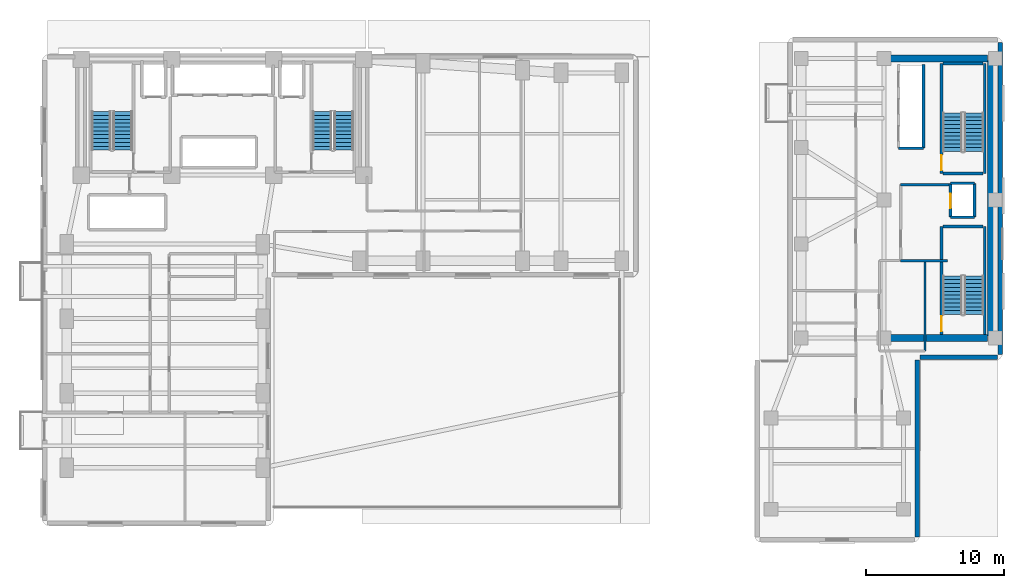
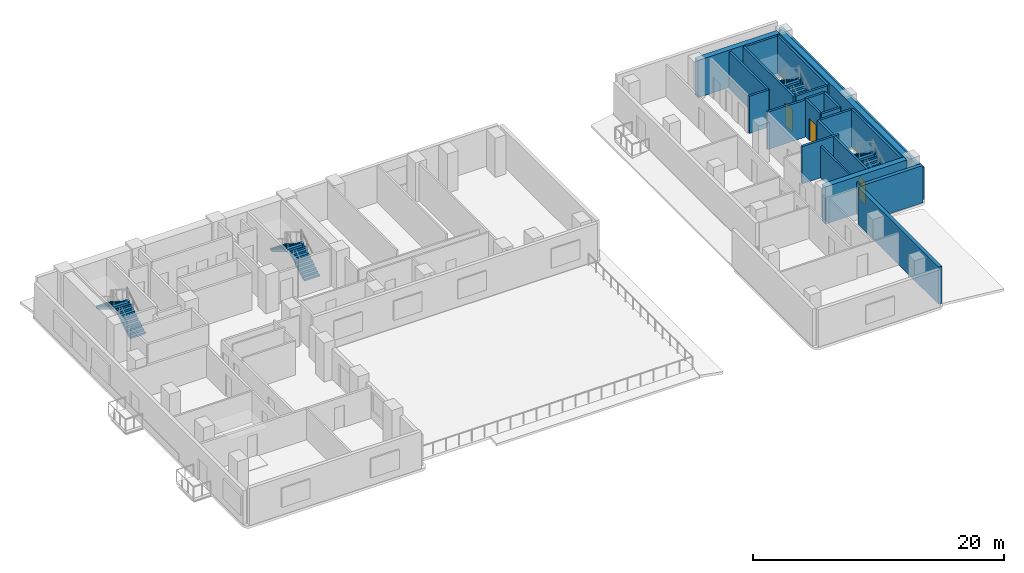
# One storey, part 6 of 10: 22 walls, 8 stair flights, 3 doors, 3 openings, 4 elements without a shape of their own.
"""IFC4 building model written with IfcOpenShell, lengths in metres."""

from ifc_helpers import new_model, si_unit, direction, frame, frame_2d, origin, place, context, subcontext, project, spatial, polyline, rectangle, outline, extrude, material, layer, layer_set, type_object, element, fill, aggregate, save


model = new_model("IFC4")

# Units and contexts
model_context = context("Model", 3, precision=1e-05, world=origin(), true_north=direction((0.0, 1.0)))
body_context = subcontext(model_context, "Body", "Model", "MODEL_VIEW")
ifc_project = project(units=[si_unit("LENGTHUNIT", "METRE"), si_unit("AREAUNIT", "SQUARE_METRE"), si_unit("VOLUMEUNIT", "CUBIC_METRE"), si_unit("PLANEANGLEUNIT", "RADIAN"), si_unit("MASSUNIT", "GRAM", prefix="KILO")], contexts=[model_context])

# Site, building, storey
site_placement = place(None, origin())
site = spatial("IfcSite", under=ifc_project, at=site_placement, CompositionType="ELEMENT")
building_placement = place(site_placement, origin())
building = spatial("IfcBuilding", under=site, at=building_placement, Name="Kuzgunbayir Cultural Tower", CompositionType="ELEMENT")
storey_placement = place(building_placement, frame((0.0, 0.0, 26.39990234375)))
storey = spatial("IfcBuildingStorey", under=building, at=storey_placement, Name="L06", CompositionType="ELEMENT", Elevation=26.39990234375)

# Walls
ifc_material_1 = material(Name="Travertine Buff Ashlar", Category="masonry")
ifc_layer_1 = layer(ifc_material_1, 0.320068359375)
ifc_layer_set_1 = layer_set([ifc_layer_1], Name="Travertine Buff Ashlar")
wall_type_1 = type_object("IfcWallType", Name="WAL-EXT-STONE-320", PredefinedType="STANDARD", material=ifc_layer_set_1)
wall_1_placement = place(storey_placement, frame((73.0, 20.800048828125, 0.0), z_axis=(0.0, 0.0, 1.0), x_axis=(0.0, 1.0, 0.0)))
element("IfcWall", 1, at=wall_1_placement, inside=storey, type_object=wall_type_1, Name="L06 Companion East Limestone Wall", PredefinedType="STANDARD", context=body_context, shape_type="SweptSolid", body=[
    extrude(rectangle(XDim=22.599853515625, YDim=0.320068359375, at=frame_2d((11.2998046875, 0.0))), origin(), (0.0, 0.0, 1.0), 3.10009765625),
])
wall_2_placement = place(storey_placement, frame((67.0, 7.60009765625, 0.0), z_axis=(0.0, 0.0, 1.0), x_axis=(0.0, 1.0, 0.0)))
element("IfcWall", 2, at=wall_2_placement, inside=storey, type_object=wall_type_1, Name="L06 Companion Wing B East Wall", PredefinedType="STANDARD", context=body_context, shape_type="SweptSolid", body=[
    extrude(rectangle(XDim=12.7998046875, YDim=0.320068359375, at=frame_2d((6.39990234375, 0.0))), origin(), (0.0, 0.0, 1.0), 3.6201171875),
])
wall_3_placement = place(storey_placement, frame((67.199951171875, 20.60009765625, 0.0), z_axis=(0.0, 0.0, 1.0), x_axis=(1.0, 0.0, 0.0)))
element("IfcWall", 3, at=wall_3_placement, inside=storey, type_object=wall_type_1, Name="L06 Companion South-East Link", PredefinedType="STANDARD", context=body_context, shape_type="SweptSolid", body=[
    extrude(rectangle(XDim=5.60009765625, YDim=0.320068359375, at=frame_2d((2.800048828125, 0.0))), origin(), (0.0, 0.0, 1.0), 3.6201171875),
])
ifc_material_2 = material(Name="Acoustic Double-Stud Drywall", Category="gypsum")
ifc_layer_2 = layer(ifc_material_2, 0.14990234375)
ifc_layer_set_2 = layer_set([ifc_layer_2], Name="Acoustic Double-Stud Drywall")
wall_type_2 = type_object("IfcWallType", Name="WAL-PART-ACOUSTIC-150", PredefinedType="PARTITIONING", material=ifc_layer_set_2)
wall_4_placement = place(storey_placement, frame((67.550048828125, 21.050048828125, 0.0), z_axis=(0.0, 0.0, 1.0), x_axis=(0.0, 1.0, 0.0)))
element("IfcWall", 4, at=wall_4_placement, inside=storey, type_object=wall_type_2, Name="L06 Companion Archive East Wall", PredefinedType="PARTITIONING", context=body_context, shape_type="SweptSolid", body=[
    extrude(rectangle(XDim=6.469970703125, YDim=0.14990234375, at=frame_2d((3.23486328125, 0.0))), origin(), (0.0, 0.0, 1.0), 3.10009765625),
])
ifc_material_3 = material(Name="Aerated Concrete Blockwork", Category="masonry")
ifc_layer_3 = layer(ifc_material_3, 0.199951171875)
ifc_layer_set_3 = layer_set([ifc_layer_3], Name="Aerated Concrete Blockwork")
wall_type_3 = type_object("IfcWallType", Name="WAL-PART-FIRE-200", PredefinedType="PARTITIONING", material=ifc_layer_set_3)
wall_5_placement = place(storey_placement, frame((65.800048828125, 33.10009765625, 0.0), z_axis=(0.0, 0.0, 1.0), x_axis=(1.0, 0.0, 0.0)))
element("IfcWall", 5, at=wall_5_placement, inside=storey, type_object=wall_type_3, Name="L06 FFL-3 Lobby North Fire Wall", PredefinedType="PARTITIONING", context=body_context, shape_type="SweptSolid", body=[
    extrude(rectangle(XDim=3.599853515625, YDim=0.199951171875, at=frame_2d((1.7998046875, 0.0))), origin(), (0.0, 0.0, 1.0), 3.6201171875),
])
wall_6_placement = place(storey_placement, frame((65.800048828125, 27.60009765625, 0.0), z_axis=(0.0, 0.0, 1.0), x_axis=(1.0, 0.0, 0.0)))
element("IfcWall", 6, at=wall_6_placement, inside=storey, type_object=wall_type_3, Name="L06 FFL-3 Lobby South Fire Wall", PredefinedType="PARTITIONING", context=body_context, shape_type="SweptSolid", body=[
    extrude(rectangle(XDim=3.39990234375, YDim=0.199951171875, at=frame_2d((1.699951171875, 0.0))), origin(), (0.0, 0.0, 1.0), 3.6201171875),
])
ifc_material_4 = material(Name="Concrete C40/50", Category="concrete")
ifc_layer_4 = layer(ifc_material_4, 0.199951171875)
ifc_layer_set_4 = layer_set([ifc_layer_4], Name="Concrete C40/50")
wall_type_4 = type_object("IfcWallType", Name="WAL-SHAFT-200", PredefinedType="MOVABLE", material=ifc_layer_set_4)
wall_7_placement = place(storey_placement, frame((67.449951171875, 35.75, 0.0), z_axis=(0.0, 0.0, 1.0), x_axis=(0.0, 1.0, 0.0)))
element("IfcWall", 7, at=wall_7_placement, inside=storey, type_object=wall_type_4, Name="L06 Companion Lift Shaft Back Wall", PredefinedType="MOVABLE", context=body_context, shape_type="SweptSolid", body=[
    extrude(rectangle(XDim=6.050048828125, YDim=0.199951171875, at=frame_2d((3.02490234375, 0.0))), origin(), (0.0, 0.0, 1.0), 3.6201171875),
])
wall_8_placement = place(storey_placement, frame((65.64990234375, 35.75, 0.0), z_axis=(0.0, 0.0, 1.0), x_axis=(1.0, 0.0, 0.0)))
element("IfcWall", 8, at=wall_8_placement, inside=storey, type_object=wall_type_4, Name="L06 Companion Lift Shaft South Wall", PredefinedType="MOVABLE", context=body_context, shape_type="SweptSolid", body=[
    extrude(rectangle(XDim=1.800048828125, YDim=0.199951171875, at=frame_2d((0.89990234375, 0.0))), origin(), (0.0, 0.0, 1.0), 3.6201171875),
])

# Wall, opening, door
wall_9_placement = place(storey_placement, frame((69.39990234375, 30.75, 0.0), z_axis=(0.0, 0.0, 1.0), x_axis=(0.0, 1.0, 0.0)))
wall_9 = element("IfcWall", 9, at=wall_9_placement, inside=storey, type_object=wall_type_4, Name="L06 FFL-3 Lift Front Wall", PredefinedType="MOVABLE", context=body_context, shape_type="SweptSolid", body=[
    extrude(rectangle(XDim=2.449951171875, YDim=0.199951171875, at=frame_2d((1.22509765625, 0.0))), origin(), (0.0, 0.0, 1.0), 3.6201171875),
])
opening_1_placement = place(wall_9_placement, frame((0.64990234375, 0.0, 0.0)))
opening_1 = element("IfcOpeningElement", 10, at=opening_1_placement, cuts=wall_9, Name="Opening LD", PredefinedType="OPENING", context=body_context, shape_type="SweptSolid", body=[
    extrude(rectangle(XDim=1.050048828125, YDim=2.14990234375, at=frame_2d((0.52490234375, 1.074951171875))), frame((0.0, 0.10986328125, 0.0), z_axis=(0.0, -1.0, 0.0), x_axis=(1.0, 0.0, 0.0)), (0.0, 0.0, 1.0), 0.219970703125),
])
ifc_material_5 = material(Name="Brushed Stainless Steel", Category="steel")
door_type_1 = type_object("IfcDoorType", Name="DR-LIFT-LANDING", OperationType="SLIDING_TO_LEFT", PredefinedType="DOOR", material=ifc_material_5)
door_1_placement = place(opening_1_placement, origin())
door_1 = element("IfcDoor", 11, at=door_1_placement, inside=storey, type_object=door_type_1, Name="L06 Lift FFL-3 Landing Door", OperationType="SLIDING_TO_LEFT", OverallHeight=2.14990234375, OverallWidth=1.050048828125, PredefinedType="DOOR", context=body_context, shape_type="SweptSolid", body=[
    extrude(rectangle(XDim=1.050048828125, YDim=2.14990234375, at=frame_2d((0.52490234375, 1.074951171875))), frame((0.0, 0.02490234375, 0.0), z_axis=(0.0, -1.0, 0.0), x_axis=(1.0, 0.0, 0.0)), (0.0, 0.0, 1.0), 0.050048828125),
])
fill(opening_1, door_1)

# Walls
wall_10_placement = place(storey_placement, frame((71.14990234375, 30.75, 0.0), z_axis=(0.0, 0.0, 1.0), x_axis=(0.0, 1.0, 0.0)))
element("IfcWall", 12, at=wall_10_placement, inside=storey, type_object=wall_type_4, Name="L06 FFL-3 Shaft Back Wall", PredefinedType="MOVABLE", context=body_context, shape_type="SweptSolid", body=[
    extrude(rectangle(XDim=2.449951171875, YDim=0.199951171875, at=frame_2d((1.22509765625, 0.0))), origin(), (0.0, 0.0, 1.0), 3.6201171875),
])
for number, where, z_axis, x_axis, name in (
    (13, (69.39990234375, 33.199951171875, 0.0), (0.0, 0.0, 1.0), (1.0, 0.0, 0.0), "L06 FFL-3 Shaft North Wall"),
    (14, (69.39990234375, 30.75, 0.0), (0.0, 0.0, 1.0), (1.0, 0.0, 0.0), "L06 FFL-3 Shaft South Wall"),
):
    element("IfcWall", number, at=place(storey_placement, frame(where, z_axis=z_axis, x_axis=x_axis)), inside=storey, type_object=wall_type_4, Name=name, PredefinedType="MOVABLE", context=body_context, shape_type="SweptSolid", body=[
        extrude(rectangle(XDim=1.75, YDim=0.199951171875, at=frame_2d((0.875, 0.0))), origin(), (0.0, 0.0, 1.0), 3.6201171875),
    ])

# Wall, opening, door
ifc_layer_5 = layer(ifc_material_4, 0.199951171875)
ifc_layer_set_5 = layer_set([ifc_layer_5], Name="Concrete C40/50")
wall_type_5 = type_object("IfcWallType", Name="WAL-STAIR-RC-200", PredefinedType="SHEAR", material=ifc_layer_set_5)
wall_11_placement = place(storey_placement, frame((68.760009765625, 22.260009765625, 0.0), z_axis=(0.0, 0.0, 1.0), x_axis=(0.0, 1.0, 0.0)))
wall_11 = element("IfcWall", 15, at=wall_11_placement, inside=storey, type_object=wall_type_5, Name="L06 Stair ST-3 West Structural Wall", PredefinedType="SHEAR", context=body_context, shape_type="SweptSolid", body=[
    extrude(rectangle(XDim=7.820068359375, YDim=0.199951171875, at=frame_2d((3.91015625, 0.0))), origin(), (0.0, 0.0, 1.0), 3.6201171875),
])
opening_2_placement = place(wall_11_placement, frame((0.219970703125, 0.0, 0.0)))
opening_2 = element("IfcOpeningElement", 16, at=opening_2_placement, cuts=wall_11, Name="Opening DR-STAIR-90", PredefinedType="OPENING", context=body_context, shape_type="SweptSolid", body=[
    extrude(rectangle(XDim=1.10009765625, YDim=2.14990234375, at=frame_2d((0.550048828125, 1.074951171875))), frame((0.0, 0.10986328125, 0.0), z_axis=(0.0, -1.0, 0.0), x_axis=(1.0, 0.0, 0.0)), (0.0, 0.0, 1.0), 0.219970703125),
])
ifc_material_6 = material(Name="Steel S355J2", Category="steel")
door_type_2 = type_object("IfcDoorType", Name="DR-STAIR-90", OperationType="NOTDEFINED", PredefinedType="DOOR", material=ifc_material_6)
door_2_placement = place(opening_2_placement, origin())
door_2 = element("IfcDoor", 17, at=door_2_placement, inside=storey, type_object=door_type_2, Name="L06 Stair ST-3 Fire Door", OperationType="SINGLE_SWING_RIGHT", OverallHeight=2.14990234375, OverallWidth=1.10009765625, PredefinedType="DOOR", context=body_context, shape_type="SweptSolid", body=[
    extrude(rectangle(XDim=1.10009765625, YDim=2.14990234375, at=frame_2d((0.550048828125, 1.074951171875))), frame((0.0, 0.02490234375, 0.0), z_axis=(0.0, -1.0, 0.0), x_axis=(1.0, 0.0, 0.0)), (0.0, 0.0, 1.0), 0.050048828125),
])
fill(opening_2, door_2)

# Walls
wall_12_placement = place(storey_placement, frame((71.8798828125, 22.260009765625, 0.0), z_axis=(0.0, 0.0, 1.0), x_axis=(0.0, 1.0, 0.0)))
element("IfcWall", 18, at=wall_12_placement, inside=storey, type_object=wall_type_5, Name="L06 Stair ST-3 East Structural Wall", PredefinedType="SHEAR", context=body_context, shape_type="SweptSolid", body=[
    extrude(rectangle(XDim=7.820068359375, YDim=0.199951171875, at=frame_2d((3.91015625, 0.0))), origin(), (0.0, 0.0, 1.0), 3.6201171875),
])
wall_13_placement = place(storey_placement, frame((68.8798828125, 30.080078125, 0.0), z_axis=(0.0, 0.0, 1.0), x_axis=(1.0, 0.0, 0.0)))
element("IfcWall", 19, at=wall_13_placement, inside=storey, type_object=wall_type_5, Name="L06 Stair ST-3 North Structural Wall", PredefinedType="SHEAR", context=body_context, shape_type="SweptSolid", body=[
    extrude(rectangle(XDim=2.880126953125, YDim=0.199951171875, at=frame_2d((1.43994140625, 0.0))), origin(), (0.0, 0.0, 1.0), 3.6201171875),
])

# Wall, opening, door
wall_14_placement = place(storey_placement, frame((68.760009765625, 33.919921875, 0.0), z_axis=(0.0, 0.0, 1.0), x_axis=(0.0, 1.0, 0.0)))
wall_14 = element("IfcWall", 20, at=wall_14_placement, inside=storey, type_object=wall_type_5, Name="L06 Stair ST-4 West Structural Wall", PredefinedType="SHEAR", context=body_context, shape_type="SweptSolid", body=[
    extrude(rectangle(XDim=7.9599609375, YDim=0.199951171875, at=frame_2d((3.97998046875, 0.0))), origin(), (0.0, 0.0, 1.0), 3.6201171875),
])
opening_3_placement = place(wall_14_placement, frame((0.219970703125, 0.0, 0.0)))
opening_3 = element("IfcOpeningElement", 21, at=opening_3_placement, cuts=wall_14, Name="Opening DR-STAIR-90", PredefinedType="OPENING", context=body_context, shape_type="SweptSolid", body=[
    extrude(rectangle(XDim=1.10009765625, YDim=2.14990234375, at=frame_2d((0.550048828125, 1.074951171875))), frame((0.0, 0.10986328125, 0.0), z_axis=(0.0, -1.0, 0.0), x_axis=(1.0, 0.0, 0.0)), (0.0, 0.0, 1.0), 0.219970703125),
])
door_3_placement = place(opening_3_placement, origin())
door_3 = element("IfcDoor", 22, at=door_3_placement, inside=storey, type_object=door_type_2, Name="L06 Stair ST-4 Fire Door", OperationType="SINGLE_SWING_LEFT", OverallHeight=2.14990234375, OverallWidth=1.10009765625, PredefinedType="DOOR", context=body_context, shape_type="SweptSolid", body=[
    extrude(rectangle(XDim=1.10009765625, YDim=2.14990234375, at=frame_2d((0.550048828125, 1.074951171875))), frame((0.0, 0.02490234375, 0.0), z_axis=(0.0, -1.0, 0.0), x_axis=(1.0, 0.0, 0.0)), (0.0, 0.0, 1.0), 0.050048828125),
])
fill(opening_3, door_3)

# Walls
wall_15_placement = place(storey_placement, frame((71.8798828125, 33.919921875, 0.0), z_axis=(0.0, 0.0, 1.0), x_axis=(0.0, 1.0, 0.0)))
element("IfcWall", 23, at=wall_15_placement, inside=storey, type_object=wall_type_5, Name="L06 Stair ST-4 East Structural Wall", PredefinedType="SHEAR", context=body_context, shape_type="SweptSolid", body=[
    extrude(rectangle(XDim=7.9599609375, YDim=0.199951171875, at=frame_2d((3.97998046875, 0.0))), origin(), (0.0, 0.0, 1.0), 3.6201171875),
])
for number, where, z_axis, x_axis, name in (
    (24, (68.8798828125, 41.8798828125, 0.0), (0.0, 0.0, 1.0), (1.0, 0.0, 0.0), "L06 Stair ST-4 North Structural Wall"),
    (25, (68.8798828125, 33.919921875, 0.0), (0.0, 0.0, 1.0), (1.0, 0.0, 0.0), "L06 Stair ST-4 South Structural Wall"),
):
    element("IfcWall", number, at=place(storey_placement, frame(where, z_axis=z_axis, x_axis=x_axis)), inside=storey, type_object=wall_type_5, Name=name, PredefinedType="SHEAR", context=body_context, shape_type="SweptSolid", body=[
        extrude(rectangle(XDim=2.880126953125, YDim=0.199951171875, at=frame_2d((1.43994140625, 0.0))), origin(), (0.0, 0.0, 1.0), 3.6201171875),
    ])
ifc_material_7 = material(Name="Concrete C60/75", Category="concrete")
ifc_layer_6 = layer(ifc_material_7, 0.5)
ifc_layer_set_6 = layer_set([ifc_layer_6], Name="Concrete C60/75")
wall_type_6 = type_object("IfcWallType", Name="WAL-T2-CORE-500", PredefinedType="SHEAR", material=ifc_layer_set_6)
wall_16_placement = place(storey_placement, frame((72.35009765625, 22.0, 0.0), z_axis=(0.0, 0.0, 1.0), x_axis=(0.0, 1.0, 0.0)))
element("IfcWall", 26, at=wall_16_placement, inside=storey, type_object=wall_type_6, Name="L06 Companion Core East Shear Wall", PredefinedType="SHEAR", context=body_context, shape_type="SweptSolid", body=[
    extrude(rectangle(XDim=20.25, YDim=0.5, at=frame_2d((10.125, 0.0))), origin(), (0.0, 0.0, 1.0), 3.6201171875),
])
for number, where, z_axis, x_axis, name in (
    (27, (64.60009765625, 42.25, 0.0), (0.0, 0.0, 1.0), (1.0, 0.0, 0.0), "L06 Companion Core North Shear Wall"),
    (28, (64.60009765625, 22.0, 0.0), (0.0, 0.0, 1.0), (1.0, 0.0, 0.0), "L06 Companion Core South Shear Wall"),
):
    element("IfcWall", number, at=place(storey_placement, frame(where, z_axis=z_axis, x_axis=x_axis)), inside=storey, type_object=wall_type_6, Name=name, PredefinedType="SHEAR", context=body_context, shape_type="SweptSolid", body=[
        extrude(rectangle(XDim=7.5, YDim=0.5, at=frame_2d((3.75, 0.0))), origin(), (0.0, 0.0, 1.0), 3.6201171875),
    ])

# Stair, stair flights
stair_type = type_object("IfcStairType", Name="STR-EXIT-CORE", PredefinedType="HALF_TURN_STAIR", material=ifc_material_4)
stair_1_placement = place(storey_placement, origin())
stair_1 = element("IfcStair", 29, at=stair_1_placement, inside=storey, type_object=stair_type, Name="L06 ST-1", PredefinedType="HALF_TURN_STAIR")
stair_flight_type = type_object("IfcStairFlightType", Name="STRF-RC-140", PredefinedType="STRAIGHT", material=ifc_material_4)
stair_flight_1_placement = place(storey_placement, frame((9.4599609375, 35.60009765625, 0.0), z_axis=(0.0, 0.0, 1.0), x_axis=(0.0, 1.0, 0.0)))
stair_flight_1 = element("IfcStairFlight", 30, at=stair_flight_1_placement, type_object=stair_flight_type, Name="ST-1 flight 1", NumberOfRisers=11, NumberOfTreads=10, PredefinedType="STRAIGHT", RiserHeight=0.172727273, TreadLength=0.28, context=body_context, shape_type="SweptSolid", body=[
    extrude(outline(polyline([(0.0, 0.0), (0.0, 0.172607421875), (0.280029296875, 0.172607421875), (0.280029296875, 0.345458984375), (0.56005859375, 0.345458984375), (0.56005859375, 0.51806640625), (0.840087890625, 0.51806640625), (0.840087890625, 0.69091796875), (1.1201171875, 0.69091796875), (1.1201171875, 0.863525390625), (1.39990234375, 0.863525390625), (1.39990234375, 1.036376953125), (1.679931640625, 1.036376953125), (1.679931640625, 1.208984375), (1.9599609375, 1.208984375), (1.9599609375, 1.3818359375), (2.239990234375, 1.3818359375), (2.239990234375, 1.554443359375), (2.52001953125, 1.554443359375), (2.52001953125, 1.727294921875), (2.800048828125, 1.727294921875), (2.800048828125, 1.89990234375), (2.800048828125, 1.515869140625), (0.3427734375, 0.0), (0.0, 0.0)])), frame((0.0, 0.699951171875, 0.0), z_axis=(0.0, -1.0, 0.0), x_axis=(1.0, 0.0, 0.0)), (0.0, 0.0, 1.0), 1.39990234375),
])
stair_flight_2_placement = place(storey_placement, frame((7.89990234375, 38.39990234375, 1.900146484375), z_axis=(0.0, 0.0, 1.0), x_axis=(0.0, -1.0, 0.0)))
stair_flight_2 = element("IfcStairFlight", 31, at=stair_flight_2_placement, type_object=stair_flight_type, Name="ST-1 flight 2", NumberOfRisers=11, NumberOfTreads=10, PredefinedType="STRAIGHT", RiserHeight=0.172727273, TreadLength=0.28, context=body_context, shape_type="SweptSolid", body=[
    extrude(outline(polyline([(0.0, 0.0), (0.0, 0.172607421875), (0.280029296875, 0.172607421875), (0.280029296875, 0.345458984375), (0.56005859375, 0.345458984375), (0.56005859375, 0.51806640625), (0.840087890625, 0.51806640625), (0.840087890625, 0.69091796875), (1.1201171875, 0.69091796875), (1.1201171875, 0.863525390625), (1.39990234375, 0.863525390625), (1.39990234375, 1.036376953125), (1.679931640625, 1.036376953125), (1.679931640625, 1.208984375), (1.9599609375, 1.208984375), (1.9599609375, 1.3818359375), (2.239990234375, 1.3818359375), (2.239990234375, 1.554443359375), (2.52001953125, 1.554443359375), (2.52001953125, 1.727294921875), (2.800048828125, 1.727294921875), (2.800048828125, 1.89990234375), (2.800048828125, 1.515869140625), (0.3427734375, 0.0), (0.0, 0.0)])), frame((0.0, 0.699951171875, 0.0), z_axis=(0.0, -1.0, 0.0), x_axis=(1.0, 0.0, 0.0)), (0.0, 0.0, 1.0), 1.39990234375),
])
aggregate(stair_1, [stair_flight_1, stair_flight_2])

stair_2_placement = place(storey_placement, origin())
stair_2 = element("IfcStair", 32, at=stair_2_placement, inside=storey, type_object=stair_type, Name="L06 ST-2", PredefinedType="HALF_TURN_STAIR")
stair_flight_3_placement = place(storey_placement, frame((25.4599609375, 35.60009765625, 0.0), z_axis=(0.0, 0.0, 1.0), x_axis=(0.0, 1.0, 0.0)))
stair_flight_3 = element("IfcStairFlight", 33, at=stair_flight_3_placement, type_object=stair_flight_type, Name="ST-2 flight 1", NumberOfRisers=11, NumberOfTreads=10, PredefinedType="STRAIGHT", RiserHeight=0.172727273, TreadLength=0.28, context=body_context, shape_type="SweptSolid", body=[
    extrude(outline(polyline([(0.0, 0.0), (0.0, 0.172607421875), (0.280029296875, 0.172607421875), (0.280029296875, 0.345458984375), (0.56005859375, 0.345458984375), (0.56005859375, 0.51806640625), (0.840087890625, 0.51806640625), (0.840087890625, 0.69091796875), (1.1201171875, 0.69091796875), (1.1201171875, 0.863525390625), (1.39990234375, 0.863525390625), (1.39990234375, 1.036376953125), (1.679931640625, 1.036376953125), (1.679931640625, 1.208984375), (1.9599609375, 1.208984375), (1.9599609375, 1.3818359375), (2.239990234375, 1.3818359375), (2.239990234375, 1.554443359375), (2.52001953125, 1.554443359375), (2.52001953125, 1.727294921875), (2.800048828125, 1.727294921875), (2.800048828125, 1.89990234375), (2.800048828125, 1.515869140625), (0.3427734375, 0.0), (0.0, 0.0)])), frame((0.0, 0.699951171875, 0.0), z_axis=(0.0, -1.0, 0.0), x_axis=(1.0, 0.0, 0.0)), (0.0, 0.0, 1.0), 1.39990234375),
])
stair_flight_4_placement = place(storey_placement, frame((23.89990234375, 38.39990234375, 1.900146484375), z_axis=(0.0, 0.0, 1.0), x_axis=(0.0, -1.0, 0.0)))
stair_flight_4 = element("IfcStairFlight", 34, at=stair_flight_4_placement, type_object=stair_flight_type, Name="ST-2 flight 2", NumberOfRisers=11, NumberOfTreads=10, PredefinedType="STRAIGHT", RiserHeight=0.172727273, TreadLength=0.28, context=body_context, shape_type="SweptSolid", body=[
    extrude(outline(polyline([(0.0, 0.0), (0.0, 0.172607421875), (0.280029296875, 0.172607421875), (0.280029296875, 0.345458984375), (0.56005859375, 0.345458984375), (0.56005859375, 0.51806640625), (0.840087890625, 0.51806640625), (0.840087890625, 0.69091796875), (1.1201171875, 0.69091796875), (1.1201171875, 0.863525390625), (1.39990234375, 0.863525390625), (1.39990234375, 1.036376953125), (1.679931640625, 1.036376953125), (1.679931640625, 1.208984375), (1.9599609375, 1.208984375), (1.9599609375, 1.3818359375), (2.239990234375, 1.3818359375), (2.239990234375, 1.554443359375), (2.52001953125, 1.554443359375), (2.52001953125, 1.727294921875), (2.800048828125, 1.727294921875), (2.800048828125, 1.89990234375), (2.800048828125, 1.515869140625), (0.3427734375, 0.0), (0.0, 0.0)])), frame((0.0, 0.699951171875, 0.0), z_axis=(0.0, -1.0, 0.0), x_axis=(1.0, 0.0, 0.0)), (0.0, 0.0, 1.0), 1.39990234375),
])
aggregate(stair_2, [stair_flight_3, stair_flight_4])

stair_3_placement = place(storey_placement, origin())
stair_3 = element("IfcStair", 35, at=stair_3_placement, inside=storey, type_object=stair_type, Name="L06 ST-3", PredefinedType="HALF_TURN_STAIR")
stair_flight_5_placement = place(storey_placement, frame((71.10009765625, 23.699951171875, 0.0), z_axis=(0.0, 0.0, 1.0), x_axis=(0.0, 1.0, 0.0)))
stair_flight_5 = element("IfcStairFlight", 36, at=stair_flight_5_placement, type_object=stair_flight_type, Name="ST-3 flight 1", NumberOfRisers=11, NumberOfTreads=10, PredefinedType="STRAIGHT", RiserHeight=0.172727273, TreadLength=0.28, context=body_context, shape_type="SweptSolid", body=[
    extrude(outline(polyline([(0.0, 0.0), (0.0, 0.172607421875), (0.280029296875, 0.172607421875), (0.280029296875, 0.345458984375), (0.56005859375, 0.345458984375), (0.56005859375, 0.51806640625), (0.840087890625, 0.51806640625), (0.840087890625, 0.69091796875), (1.1201171875, 0.69091796875), (1.1201171875, 0.863525390625), (1.39990234375, 0.863525390625), (1.39990234375, 1.036376953125), (1.679931640625, 1.036376953125), (1.679931640625, 1.208984375), (1.9599609375, 1.208984375), (1.9599609375, 1.3818359375), (2.239990234375, 1.3818359375), (2.239990234375, 1.554443359375), (2.52001953125, 1.554443359375), (2.52001953125, 1.727294921875), (2.800048828125, 1.727294921875), (2.800048828125, 1.89990234375), (2.800048828125, 1.515869140625), (0.3427734375, 0.0), (0.0, 0.0)])), frame((0.0, 0.699951171875, 0.0), z_axis=(0.0, -1.0, 0.0), x_axis=(1.0, 0.0, 0.0)), (0.0, 0.0, 1.0), 1.39990234375),
])
stair_flight_6_placement = place(storey_placement, frame((69.5400390625, 26.5, 1.900146484375), z_axis=(0.0, 0.0, 1.0), x_axis=(0.0, -1.0, 0.0)))
stair_flight_6 = element("IfcStairFlight", 37, at=stair_flight_6_placement, type_object=stair_flight_type, Name="ST-3 flight 2", NumberOfRisers=11, NumberOfTreads=10, PredefinedType="STRAIGHT", RiserHeight=0.172727273, TreadLength=0.28, context=body_context, shape_type="SweptSolid", body=[
    extrude(outline(polyline([(0.0, 0.0), (0.0, 0.172607421875), (0.280029296875, 0.172607421875), (0.280029296875, 0.345458984375), (0.56005859375, 0.345458984375), (0.56005859375, 0.51806640625), (0.840087890625, 0.51806640625), (0.840087890625, 0.69091796875), (1.1201171875, 0.69091796875), (1.1201171875, 0.863525390625), (1.39990234375, 0.863525390625), (1.39990234375, 1.036376953125), (1.679931640625, 1.036376953125), (1.679931640625, 1.208984375), (1.9599609375, 1.208984375), (1.9599609375, 1.3818359375), (2.239990234375, 1.3818359375), (2.239990234375, 1.554443359375), (2.52001953125, 1.554443359375), (2.52001953125, 1.727294921875), (2.800048828125, 1.727294921875), (2.800048828125, 1.89990234375), (2.800048828125, 1.515869140625), (0.3427734375, 0.0), (0.0, 0.0)])), frame((0.0, 0.699951171875, 0.0), z_axis=(0.0, -1.0, 0.0), x_axis=(1.0, 0.0, 0.0)), (0.0, 0.0, 1.0), 1.39990234375),
])
aggregate(stair_3, [stair_flight_5, stair_flight_6])

stair_4_placement = place(storey_placement, origin())
stair_4 = element("IfcStair", 38, at=stair_4_placement, inside=storey, type_object=stair_type, Name="L06 ST-4", PredefinedType="HALF_TURN_STAIR")
stair_flight_7_placement = place(storey_placement, frame((71.10009765625, 35.5, 0.0), z_axis=(0.0, 0.0, 1.0), x_axis=(0.0, 1.0, 0.0)))
stair_flight_7 = element("IfcStairFlight", 39, at=stair_flight_7_placement, type_object=stair_flight_type, Name="ST-4 flight 1", NumberOfRisers=11, NumberOfTreads=10, PredefinedType="STRAIGHT", RiserHeight=0.172727273, TreadLength=0.28, context=body_context, shape_type="SweptSolid", body=[
    extrude(outline(polyline([(0.0, 0.0), (0.0, 0.172607421875), (0.280029296875, 0.172607421875), (0.280029296875, 0.345458984375), (0.56005859375, 0.345458984375), (0.56005859375, 0.51806640625), (0.840087890625, 0.51806640625), (0.840087890625, 0.69091796875), (1.1201171875, 0.69091796875), (1.1201171875, 0.863525390625), (1.39990234375, 0.863525390625), (1.39990234375, 1.036376953125), (1.679931640625, 1.036376953125), (1.679931640625, 1.208984375), (1.9599609375, 1.208984375), (1.9599609375, 1.3818359375), (2.239990234375, 1.3818359375), (2.239990234375, 1.554443359375), (2.52001953125, 1.554443359375), (2.52001953125, 1.727294921875), (2.800048828125, 1.727294921875), (2.800048828125, 1.89990234375), (2.800048828125, 1.515869140625), (0.3427734375, 0.0), (0.0, 0.0)])), frame((0.0, 0.699951171875, 0.0), z_axis=(0.0, -1.0, 0.0), x_axis=(1.0, 0.0, 0.0)), (0.0, 0.0, 1.0), 1.39990234375),
])
stair_flight_8_placement = place(storey_placement, frame((69.5400390625, 38.300048828125, 1.900146484375), z_axis=(0.0, 0.0, 1.0), x_axis=(0.0, -1.0, 0.0)))
stair_flight_8 = element("IfcStairFlight", 40, at=stair_flight_8_placement, type_object=stair_flight_type, Name="ST-4 flight 2", NumberOfRisers=11, NumberOfTreads=10, PredefinedType="STRAIGHT", RiserHeight=0.172727273, TreadLength=0.28, context=body_context, shape_type="SweptSolid", body=[
    extrude(outline(polyline([(0.0, 0.0), (0.0, 0.172607421875), (0.280029296875, 0.172607421875), (0.280029296875, 0.345458984375), (0.56005859375, 0.345458984375), (0.56005859375, 0.51806640625), (0.840087890625, 0.51806640625), (0.840087890625, 0.69091796875), (1.1201171875, 0.69091796875), (1.1201171875, 0.863525390625), (1.39990234375, 0.863525390625), (1.39990234375, 1.036376953125), (1.679931640625, 1.036376953125), (1.679931640625, 1.208984375), (1.9599609375, 1.208984375), (1.9599609375, 1.3818359375), (2.239990234375, 1.3818359375), (2.239990234375, 1.554443359375), (2.52001953125, 1.554443359375), (2.52001953125, 1.727294921875), (2.800048828125, 1.727294921875), (2.800048828125, 1.89990234375), (2.800048828125, 1.515869140625), (0.3427734375, 0.0), (0.0, 0.0)])), frame((0.0, 0.699951171875, 0.0), z_axis=(0.0, -1.0, 0.0), x_axis=(1.0, 0.0, 0.0)), (0.0, 0.0, 1.0), 1.39990234375),
])
aggregate(stair_4, [stair_flight_7, stair_flight_8])

save(model, "model.ifc")
